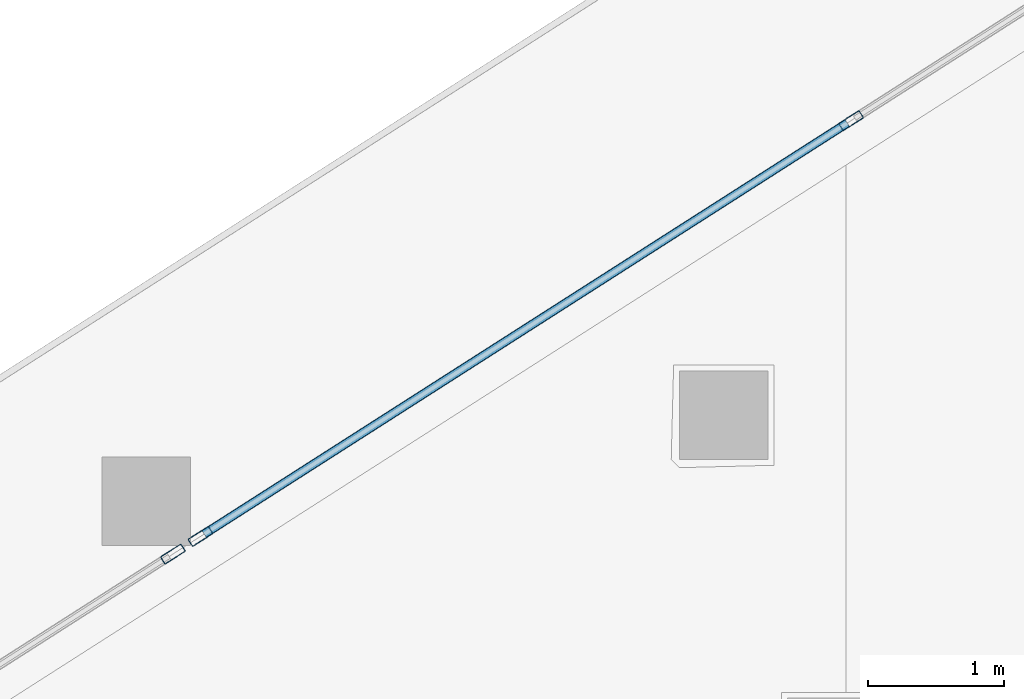
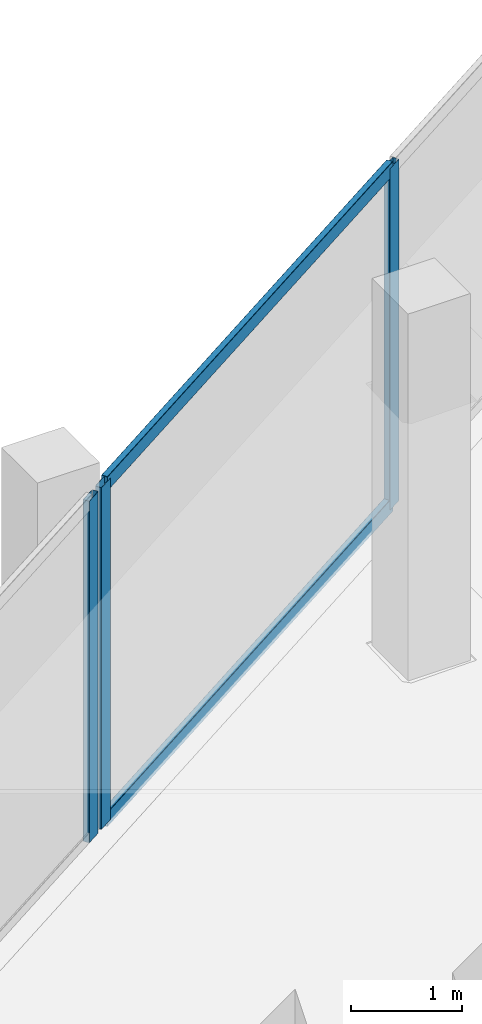
# One storey, part 17 of 42: 5 members, 2 elements without a shape of their own.
"""IFC4 building model written with IfcOpenShell, lengths in metres."""

from ifc_helpers import new_model, si_unit, direction, frame, origin, origin_2d, place, context, subcontext, project, spatial, hollow_rectangle, extrude, material, layer, layer_set, material_profile, profile_set, type_object, element, aggregate, save


model = new_model("IFC4")

# Units and contexts
model_context = context("Model", 3, precision=1e-05, world=origin(), true_north=direction((0.0, 1.0)))
body_context = subcontext(model_context, "Body", "Model", "MODEL_VIEW")
ifc_project = project(units=[si_unit("LENGTHUNIT", "METRE"), si_unit("AREAUNIT", "SQUARE_METRE"), si_unit("VOLUMEUNIT", "CUBIC_METRE"), si_unit("PLANEANGLEUNIT", "RADIAN"), si_unit("MASSUNIT", "GRAM", prefix="KILO")], contexts=[model_context])

# Site, building, storey
site_placement = place(None, origin())
site = spatial("IfcSite", under=ifc_project, at=site_placement, CompositionType="ELEMENT")
building_placement = place(site_placement, origin())
building = spatial("IfcBuilding", under=site, at=building_placement, Name="Qorvath Tower", CompositionType="ELEMENT")
storey_placement = place(building_placement, frame((0.0, 0.0, 117.89990234375)))
storey = spatial("IfcBuildingStorey", under=building, at=storey_placement, Name="L26", CompositionType="ELEMENT", Elevation=117.89990234375)

# Curtain wall, members
ifc_material_1 = material(Name="Anodised aluminium and triple low-E glass", Category="aluminium")
ifc_layer = layer(ifc_material_1, 0.179931640625)
ifc_layer_set = layer_set([ifc_layer], Name="CW-SYS-2")
curtain_wall_type = type_object("IfcCurtainWallType", Name="CW-SYS-2", PredefinedType="NOTDEFINED", material=ifc_layer_set)
curtain_wall_1_placement = place(storey_placement, origin())
curtain_wall_1 = element("IfcCurtainWall", 1, at=curtain_wall_1_placement, inside=storey, type_object=curtain_wall_type, Name="Curtain Wall CW-2 CW-T-L26-16.2", PredefinedType="NOTDEFINED")
ifc_material_2 = material(Name="Anodised aluminium 6063-T6", Category="aluminium")
ifc_material_profile_1 = material_profile(ifc_material_2, hollow_rectangle(XDim=0.06494140625, YDim=0.179931640625, WallThickness=0.00341796875, InnerFilletRadius=0.00341796875, OuterFilletRadius=0.007080078125, at=origin_2d()), Name="CWM 180x65")
ifc_profile_set_1 = profile_set([ifc_material_profile_1], Name="Anodised aluminium 6063-T6")
member_type_1 = type_object("IfcMemberType", Name="CWM-180", PredefinedType="MULLION", material=ifc_profile_set_1)
member_1_placement = place(storey_placement, frame((-30.081787109375, 21.62109375, 0.0), z_axis=(0.0, 0.0, 1.0), x_axis=(0.538529520478, -0.842606643442, 0.0)))
member_1 = element("IfcMember", 2, at=member_1_placement, type_object=member_type_1, Name="CW-2 mullion 2", PredefinedType="MULLION", context=body_context, shape_type="SweptSolid", body=[
    extrude(hollow_rectangle(XDim=0.06494140625, YDim=0.179931640625, WallThickness=0.00341796875, InnerFilletRadius=0.00341796875, OuterFilletRadius=0.007080078125, at=origin_2d()), origin(), (0.0, 0.0, 1.0), 3.77001953125),
])
member_2_placement = place(storey_placement, frame((-34.854248046875, 18.571044921875, 0.0), z_axis=(0.0, 0.0, 1.0), x_axis=(0.538529520478, -0.842606643442, 0.0)))
member_2 = element("IfcMember", 3, at=member_2_placement, type_object=member_type_1, Name="CW-2 mullion 3", PredefinedType="MULLION", context=body_context, shape_type="SweptSolid", body=[
    extrude(hollow_rectangle(XDim=0.06494140625, YDim=0.179931640625, WallThickness=0.00341796875, InnerFilletRadius=0.00341796875, OuterFilletRadius=0.007080078125, at=origin_2d()), origin(), (0.0, 0.0, 1.0), 3.77001953125),
])

# Curtain wall, member
curtain_wall_2_placement = place(storey_placement, origin())
curtain_wall_2 = element("IfcCurtainWall", 4, at=curtain_wall_2_placement, inside=storey, type_object=curtain_wall_type, Name="Curtain Wall CW-2 CW-T-L26-16.3", PredefinedType="NOTDEFINED")
member_3_placement = place(storey_placement, frame((-35.056396484375, 18.441650390625, 0.0), z_axis=(0.0, 0.0, 1.0), x_axis=(0.538534177075, -0.842603667285, 0.0)))
member_3 = element("IfcMember", 5, at=member_3_placement, type_object=member_type_1, Name="CW-2 mullion 1", PredefinedType="MULLION", context=body_context, shape_type="SweptSolid", body=[
    extrude(hollow_rectangle(XDim=0.06494140625, YDim=0.179931640625, WallThickness=0.00341796875, InnerFilletRadius=0.00341796875, OuterFilletRadius=0.007080078125, at=origin_2d()), origin(), (0.0, 0.0, 1.0), 3.77001953125),
])
aggregate(curtain_wall_2, [member_3])

# Member
ifc_material_3 = material(Name="Anodised aluminium 6063-T6", Category="aluminium")
ifc_material_profile_2 = material_profile(ifc_material_3, hollow_rectangle(XDim=0.06494140625, YDim=0.159912109375, WallThickness=0.00341796875, InnerFilletRadius=0.00341796875, OuterFilletRadius=0.007080078125, at=origin_2d()), Name="CWT 160x65")
ifc_profile_set_2 = profile_set([ifc_material_profile_2], Name="Anodised aluminium 6063-T6")
member_type_2 = type_object("IfcMemberType", Name="CWT-160", PredefinedType="USERDEFINED", material=ifc_profile_set_2)
member_4_placement = place(storey_placement, frame((-30.109375, 21.603515625, 0.032470703125), z_axis=(-0.842622059823, -0.53850539858, 0.0), x_axis=(0.53850539858, -0.842622059823, 0.0)))
member_4 = element("IfcMember", 6, at=member_4_placement, type_object=member_type_2, Name="CW-2 transom 2.1", ObjectType="TRANSOM", PredefinedType="USERDEFINED", context=body_context, shape_type="SweptSolid", body=[
    extrude(hollow_rectangle(XDim=0.06494140625, YDim=0.159912109375, WallThickness=0.00341796875, InnerFilletRadius=0.00341796875, OuterFilletRadius=0.007080078125, at=origin_2d()), origin(), (0.0, 0.0, 1.0), 5.5986328125),
])

member_5_placement = place(storey_placement, frame((-30.109375, 21.603515625, 3.737548828125), z_axis=(-0.842622059823, -0.53850539858, 0.0), x_axis=(0.53850539858, -0.842622059823, 0.0)))
member_5 = element("IfcMember", 7, at=member_5_placement, type_object=member_type_2, Name="CW-2 transom 2.2", ObjectType="TRANSOM", PredefinedType="USERDEFINED", context=body_context, shape_type="SweptSolid", body=[
    extrude(hollow_rectangle(XDim=0.06494140625, YDim=0.159912109375, WallThickness=0.00341796875, InnerFilletRadius=0.00341796875, OuterFilletRadius=0.007080078125, at=origin_2d()), origin(), (0.0, 0.0, 1.0), 5.5986328125),
])

aggregate(curtain_wall_1, [member_1, member_2, member_4, member_5])

save(model, "model.ifc")
